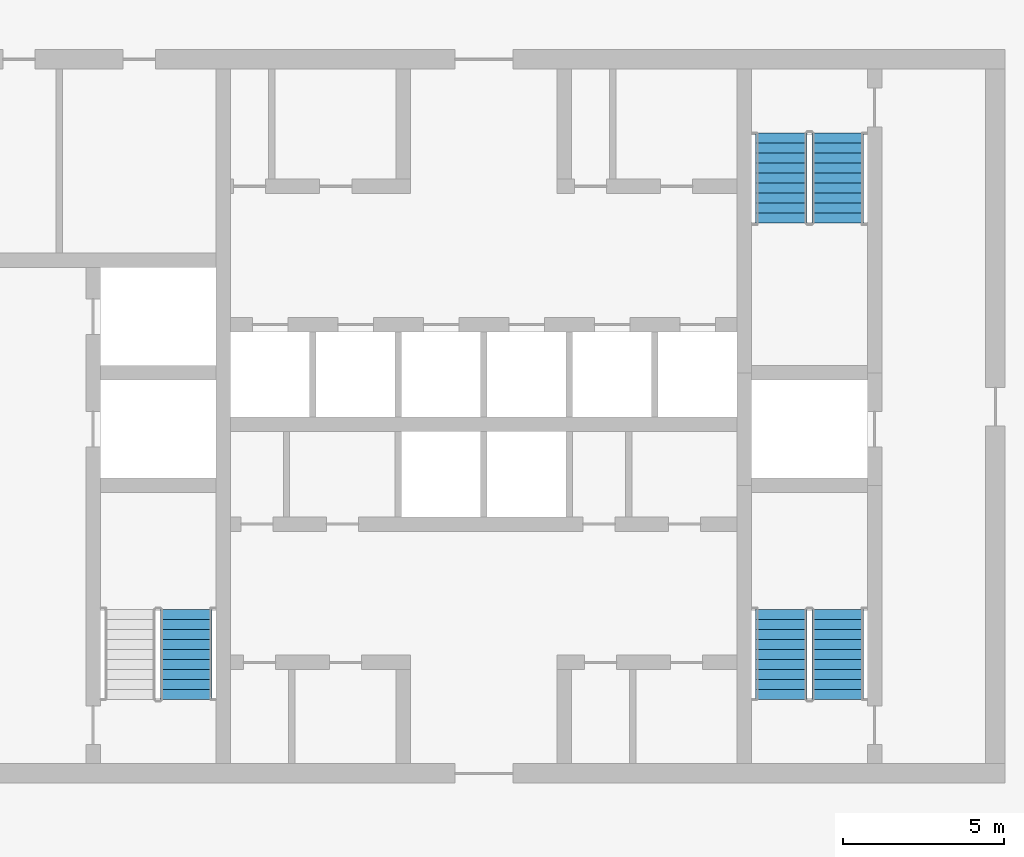
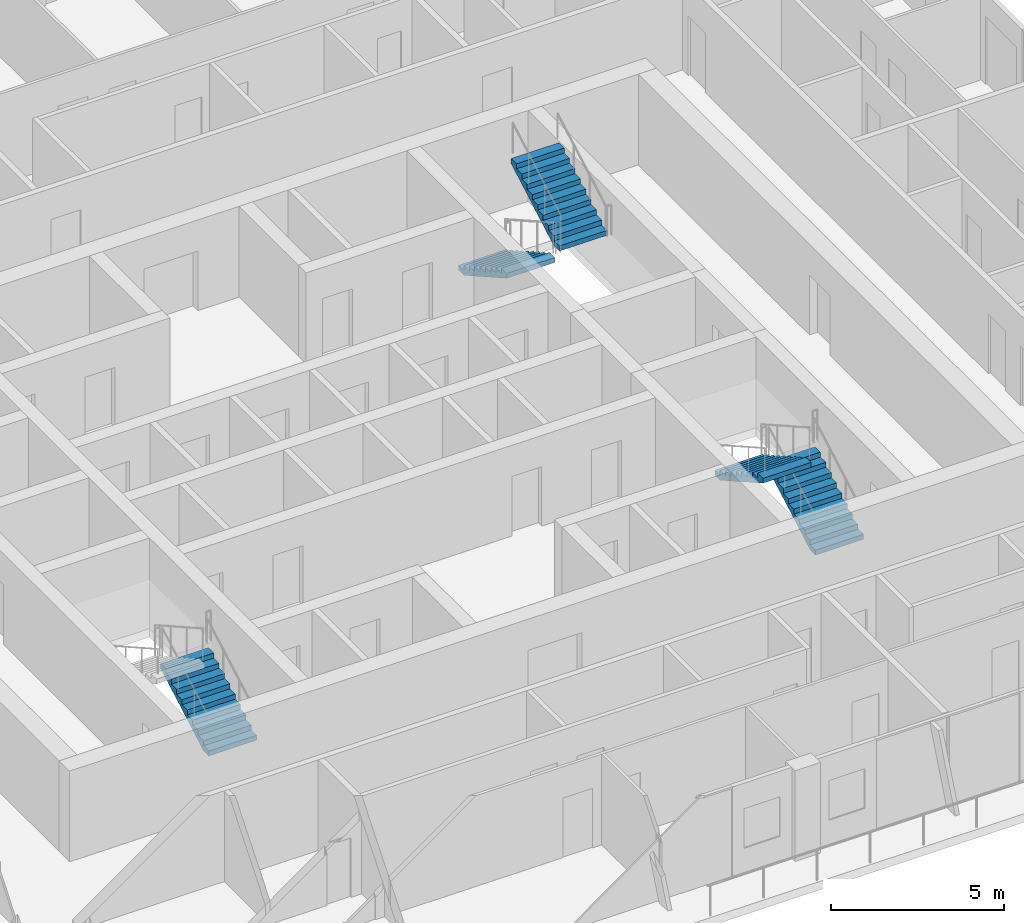
# One storey, part 16 of 22: 5 stair flights, 3 elements without a shape of their own.
"""IFC4 building model written with IfcOpenShell, lengths in metres."""

from ifc_helpers import new_model, si_unit, direction, frame, origin, place, context, subcontext, project, spatial, polyline, outline, extrude, material, type_object, element, aggregate, save


model = new_model("IFC4")

# Units and contexts
model_context = context("Model", 3, precision=1e-05, world=origin(), true_north=direction((0.0, 1.0)))
body_context = subcontext(model_context, "Body", "Model", "MODEL_VIEW")
ifc_project = project(units=[si_unit("LENGTHUNIT", "METRE"), si_unit("AREAUNIT", "SQUARE_METRE"), si_unit("VOLUMEUNIT", "CUBIC_METRE"), si_unit("PLANEANGLEUNIT", "RADIAN"), si_unit("MASSUNIT", "GRAM", prefix="KILO")], contexts=[model_context])

# Site, building, storey
site_placement = place(None, origin())
site = spatial("IfcSite", under=ifc_project, at=site_placement, CompositionType="ELEMENT")
building_placement = place(site_placement, origin())
building = spatial("IfcBuilding", under=site, at=building_placement, Name="Madar Terraces", CompositionType="ELEMENT")
storey_placement = place(building_placement, frame((0.0, 0.0, 256.199951171875)))
storey = spatial("IfcBuildingStorey", under=building, at=storey_placement, Name="L67", CompositionType="ELEMENT", Elevation=256.199951171875)

# Stair, stair flight
ifc_material_1 = material(Name="Concrete C50/60", Category="concrete")
stair_type_1 = type_object("IfcStairType", Name="Stair ST1 protected exit", PredefinedType="HALF_TURN_STAIR", material=ifc_material_1)
stair_1_placement = place(storey_placement, origin())
stair_1 = element("IfcStair", 1, at=stair_1_placement, inside=storey, type_object=stair_type_1, Name="L67 Protected Exit Stair ST1", PredefinedType="HALF_TURN_STAIR")
ifc_material_2 = material(Name="Concrete C50/60", Category="concrete")
stair_flight_type_1 = type_object("IfcStairFlightType", Name="Stair flight ST1-F4, 1600 wide, 10 risers", PredefinedType="STRAIGHT", material=ifc_material_2)
stair_flight_1_placement = place(storey_placement, frame((21.949951171875, 17.60009765625, 0.0), z_axis=(0.0, 0.0, 1.0), x_axis=(0.0, 1.0, 0.0)))
stair_flight_1 = element("IfcStairFlight", 2, at=stair_flight_1_placement, type_object=stair_flight_type_1, Name="ST1 flight 1", NumberOfRisers=10, NumberOfTreads=9, PredefinedType="STRAIGHT", RiserHeight=0.175, TreadLength=0.31, context=body_context, shape_type="SweptSolid", body=[
    extrude(outline(polyline([(0.0, 0.0), (0.0, 0.175048828125), (0.31005859375, 0.175048828125), (0.31005859375, 0.35009765625), (0.6201171875, 0.35009765625), (0.6201171875, 0.52490234375), (0.929931640625, 0.52490234375), (0.929931640625, 0.699951171875), (1.239990234375, 0.699951171875), (1.239990234375, 0.875), (1.550048828125, 0.875), (1.550048828125, 1.050048828125), (1.860107421875, 1.050048828125), (1.860107421875, 1.22509765625), (2.169921875, 1.22509765625), (2.169921875, 1.39990234375), (2.47998046875, 1.39990234375), (2.47998046875, 1.574951171875), (2.7900390625, 1.574951171875), (2.7900390625, 1.75), (2.7900390625, 1.40283203125), (0.304931640625, 0.0), (0.0, 0.0)])), frame((0.0, 0.800048828125, 0.0), z_axis=(0.0, -1.0, 0.0), x_axis=(1.0, 0.0, 0.0)), (0.0, 0.0, 1.0), 1.60009765625),
])
aggregate(stair_1, [stair_flight_1])

# Stair, stair flights
ifc_material_3 = material(Name="Concrete C50/60", Category="concrete")
stair_type_2 = type_object("IfcStairType", Name="Stair ST2 protected exit", PredefinedType="HALF_TURN_STAIR", material=ifc_material_3)
stair_2_placement = place(storey_placement, origin())
stair_2 = element("IfcStair", 3, at=stair_2_placement, inside=storey, type_object=stair_type_2, Name="L67 Protected Exit Stair ST2", PredefinedType="HALF_TURN_STAIR")
ifc_material_4 = material(Name="Concrete C50/60", Category="concrete")
stair_flight_type_2 = type_object("IfcStairFlightType", Name="Stair flight ST2-F4, 1600 wide, 10 risers", PredefinedType="STRAIGHT", material=ifc_material_4)
stair_flight_2_placement = place(storey_placement, frame((40.449951171875, 35.199951171875, 0.0), z_axis=(0.0, 0.0, 1.0), x_axis=(0.0, -1.0, 0.0)))
stair_flight_2 = element("IfcStairFlight", 4, at=stair_flight_2_placement, type_object=stair_flight_type_2, Name="ST2 flight 1", NumberOfRisers=10, NumberOfTreads=9, PredefinedType="STRAIGHT", RiserHeight=0.175, TreadLength=0.31, context=body_context, shape_type="SweptSolid", body=[
    extrude(outline(polyline([(0.0, 0.0), (0.0, 0.175048828125), (0.31005859375, 0.175048828125), (0.31005859375, 0.35009765625), (0.6201171875, 0.35009765625), (0.6201171875, 0.52490234375), (0.929931640625, 0.52490234375), (0.929931640625, 0.699951171875), (1.239990234375, 0.699951171875), (1.239990234375, 0.875), (1.550048828125, 0.875), (1.550048828125, 1.050048828125), (1.860107421875, 1.050048828125), (1.860107421875, 1.22509765625), (2.169921875, 1.22509765625), (2.169921875, 1.39990234375), (2.47998046875, 1.39990234375), (2.47998046875, 1.574951171875), (2.7900390625, 1.574951171875), (2.7900390625, 1.75), (2.7900390625, 1.40283203125), (0.304931640625, 0.0), (0.0, 0.0)])), frame((0.0, 0.800048828125, 0.0), z_axis=(0.0, -1.0, 0.0), x_axis=(1.0, 0.0, 0.0)), (0.0, 0.0, 1.0), 1.60009765625),
])
stair_flight_3_placement = place(storey_placement, frame((42.199951171875, 32.409912109375, 1.75), z_axis=(0.0, 0.0, 1.0), x_axis=(0.0, 1.0, 0.0)))
stair_flight_3 = element("IfcStairFlight", 5, at=stair_flight_3_placement, type_object=stair_flight_type_2, Name="ST2 flight 2", NumberOfRisers=10, NumberOfTreads=9, PredefinedType="STRAIGHT", RiserHeight=0.175, TreadLength=0.31, context=body_context, shape_type="SweptSolid", body=[
    extrude(outline(polyline([(0.0, 0.0), (0.0, 0.175048828125), (0.31005859375, 0.175048828125), (0.31005859375, 0.35009765625), (0.6201171875, 0.35009765625), (0.6201171875, 0.52490234375), (0.929931640625, 0.52490234375), (0.929931640625, 0.699951171875), (1.239990234375, 0.699951171875), (1.239990234375, 0.875), (1.550048828125, 0.875), (1.550048828125, 1.050048828125), (1.860107421875, 1.050048828125), (1.860107421875, 1.22509765625), (2.169921875, 1.22509765625), (2.169921875, 1.39990234375), (2.47998046875, 1.39990234375), (2.47998046875, 1.574951171875), (2.7900390625, 1.574951171875), (2.7900390625, 1.75), (2.7900390625, 1.40283203125), (0.304931640625, 0.0), (0.0, 0.0)])), frame((0.0, 0.800048828125, 0.0), z_axis=(0.0, -1.0, 0.0), x_axis=(1.0, 0.0, 0.0)), (0.0, 0.0, 1.0), 1.60009765625),
])
aggregate(stair_2, [stair_flight_2, stair_flight_3])

ifc_material_5 = material(Name="Concrete C50/60", Category="concrete")
stair_type_3 = type_object("IfcStairType", Name="Stair ST3 protected exit", PredefinedType="HALF_TURN_STAIR", material=ifc_material_5)
stair_3_placement = place(storey_placement, origin())
stair_3 = element("IfcStair", 6, at=stair_3_placement, inside=storey, type_object=stair_type_3, Name="L67 Protected Exit Stair ST3", PredefinedType="HALF_TURN_STAIR")
ifc_material_6 = material(Name="Concrete C50/60", Category="concrete")
stair_flight_type_3 = type_object("IfcStairFlightType", Name="Stair flight ST3-F4, 1600 wide, 10 risers", PredefinedType="STRAIGHT", material=ifc_material_6)
stair_flight_4_placement = place(storey_placement, frame((42.199951171875, 17.60009765625, 0.0), z_axis=(0.0, 0.0, 1.0), x_axis=(0.0, 1.0, 0.0)))
stair_flight_4 = element("IfcStairFlight", 7, at=stair_flight_4_placement, type_object=stair_flight_type_3, Name="ST3 flight 1", NumberOfRisers=10, NumberOfTreads=9, PredefinedType="STRAIGHT", RiserHeight=0.175, TreadLength=0.31, context=body_context, shape_type="SweptSolid", body=[
    extrude(outline(polyline([(0.0, 0.0), (0.0, 0.175048828125), (0.31005859375, 0.175048828125), (0.31005859375, 0.35009765625), (0.6201171875, 0.35009765625), (0.6201171875, 0.52490234375), (0.929931640625, 0.52490234375), (0.929931640625, 0.699951171875), (1.239990234375, 0.699951171875), (1.239990234375, 0.875), (1.550048828125, 0.875), (1.550048828125, 1.050048828125), (1.860107421875, 1.050048828125), (1.860107421875, 1.22509765625), (2.169921875, 1.22509765625), (2.169921875, 1.39990234375), (2.47998046875, 1.39990234375), (2.47998046875, 1.574951171875), (2.7900390625, 1.574951171875), (2.7900390625, 1.75), (2.7900390625, 1.40283203125), (0.304931640625, 0.0), (0.0, 0.0)])), frame((0.0, 0.800048828125, 0.0), z_axis=(0.0, -1.0, 0.0), x_axis=(1.0, 0.0, 0.0)), (0.0, 0.0, 1.0), 1.60009765625),
])
stair_flight_5_placement = place(storey_placement, frame((40.449951171875, 20.389892578125, 1.75), z_axis=(0.0, 0.0, 1.0), x_axis=(0.0, -1.0, 0.0)))
stair_flight_5 = element("IfcStairFlight", 8, at=stair_flight_5_placement, type_object=stair_flight_type_3, Name="ST3 flight 2", NumberOfRisers=10, NumberOfTreads=9, PredefinedType="STRAIGHT", RiserHeight=0.175, TreadLength=0.31, context=body_context, shape_type="SweptSolid", body=[
    extrude(outline(polyline([(0.0, 0.0), (0.0, 0.175048828125), (0.31005859375, 0.175048828125), (0.31005859375, 0.35009765625), (0.6201171875, 0.35009765625), (0.6201171875, 0.52490234375), (0.929931640625, 0.52490234375), (0.929931640625, 0.699951171875), (1.239990234375, 0.699951171875), (1.239990234375, 0.875), (1.550048828125, 0.875), (1.550048828125, 1.050048828125), (1.860107421875, 1.050048828125), (1.860107421875, 1.22509765625), (2.169921875, 1.22509765625), (2.169921875, 1.39990234375), (2.47998046875, 1.39990234375), (2.47998046875, 1.574951171875), (2.7900390625, 1.574951171875), (2.7900390625, 1.75), (2.7900390625, 1.40283203125), (0.304931640625, 0.0), (0.0, 0.0)])), frame((0.0, 0.800048828125, 0.0), z_axis=(0.0, -1.0, 0.0), x_axis=(1.0, 0.0, 0.0)), (0.0, 0.0, 1.0), 1.60009765625),
])
aggregate(stair_3, [stair_flight_4, stair_flight_5])

save(model, "model.ifc")
